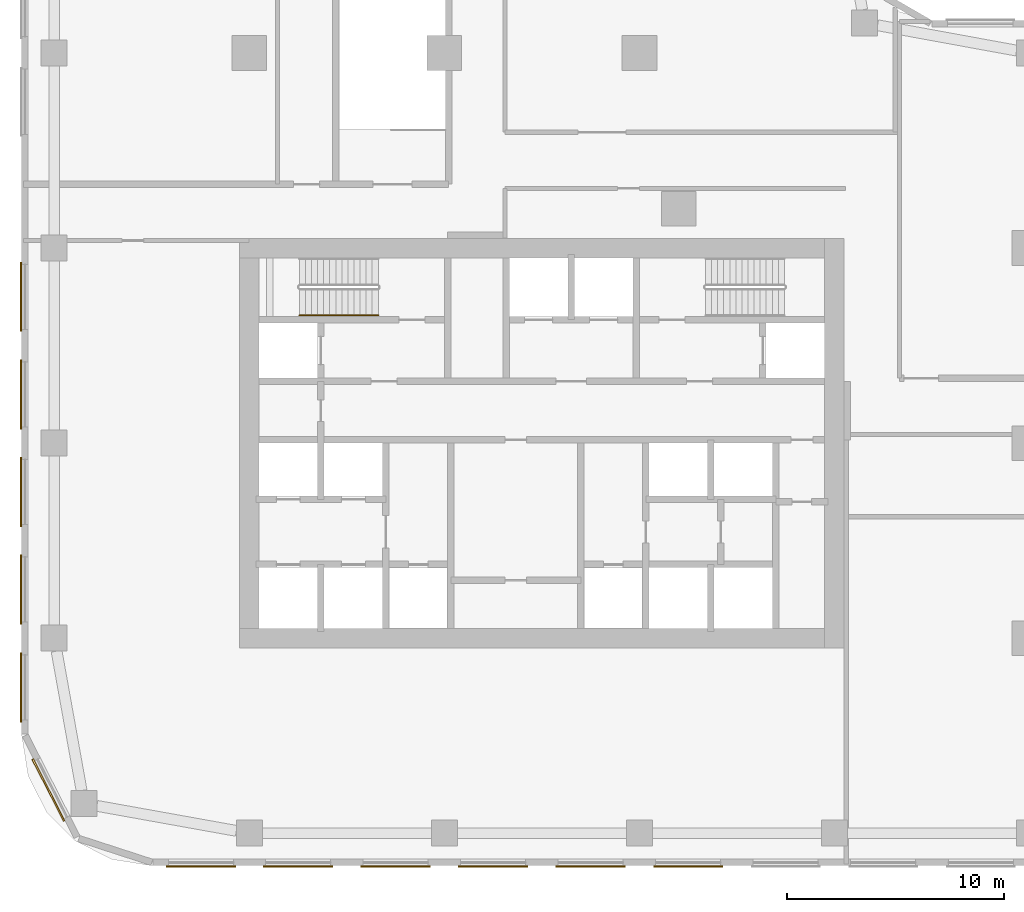
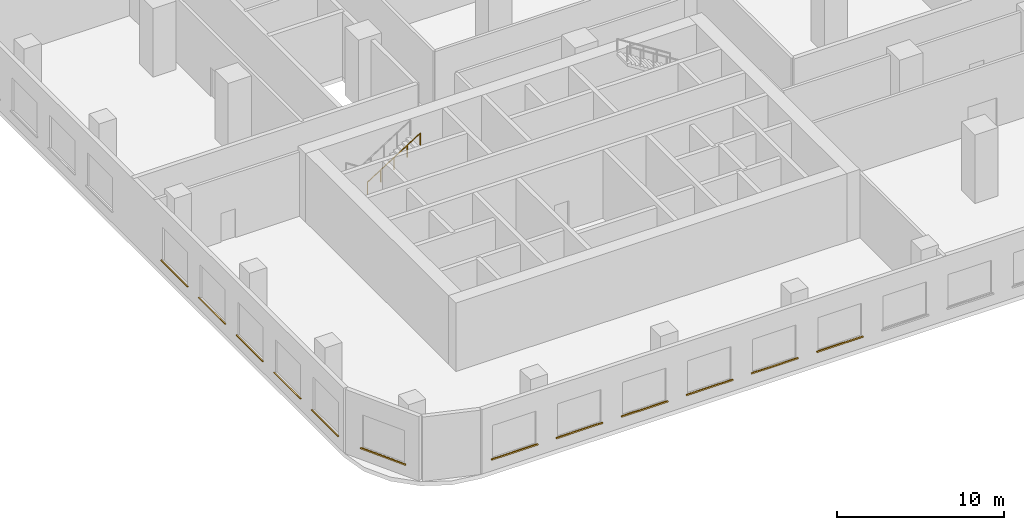
# One storey, part 21 of 33: 12 coverings, 1 railing.
"""IFC4 building model written with IfcOpenShell, lengths in metres."""

from ifc_helpers import new_model, si_unit, direction, frame, origin, origin_2d, place, context, subcontext, project, spatial, rectangle, circle, extrude, material, layer, layer_set, type_object, element, save


model = new_model("IFC4")

# Units and contexts
model_context = context("Model", 3, precision=1e-05, world=origin(), true_north=direction((0.0, 1.0)))
body_context = subcontext(model_context, "Body", "Model", "MODEL_VIEW")
ifc_project = project(units=[si_unit("LENGTHUNIT", "METRE"), si_unit("AREAUNIT", "SQUARE_METRE"), si_unit("VOLUMEUNIT", "CUBIC_METRE"), si_unit("PLANEANGLEUNIT", "RADIAN"), si_unit("MASSUNIT", "GRAM", prefix="KILO")], contexts=[model_context])

# Site, building, storey
site_placement = place(None, origin())
site = spatial("IfcSite", under=ifc_project, at=site_placement, CompositionType="ELEMENT")
building_placement = place(site_placement, origin())
building = spatial("IfcBuilding", under=site, at=building_placement, Name="Ogive Portal Towers", CompositionType="ELEMENT")
storey_placement = place(building_placement, frame((0.0, 0.0, 28.5)))
storey = spatial("IfcBuildingStorey", under=building, at=storey_placement, Name="L05", CompositionType="ELEMENT", Elevation=28.5)

# Railing
ifc_material_1 = material(Name="Stainless steel handrail", Category="steel")
railing_type = type_object("IfcRailingType", Name="INT-HANDRAIL", PredefinedType="HANDRAIL", material=ifc_material_1)
railing_placement = place(storey_placement, frame((33.81005859375, 36.39990234375, 2.678466796875)))
element("IfcRailing", 1, at=railing_placement, inside=storey, type_object=railing_type, Name="L05 ST-A1 stair handrail 2", PredefinedType="HANDRAIL", context=body_context, shape_type="SweptSolid", body=[
    extrude(circle(Radius=0.02392578125, at=origin_2d()), frame((0.0, 0.0, 0.8759765625), z_axis=(0.843111507901, 0.0, 0.53773877045), x_axis=(0.0, 1.0, 0.0)), (0.0, 0.0, 1.0), 4.317138671875),
    extrude(circle(Radius=0.02099609375, at=origin_2d()), origin(), (0.0, 0.0, 1.0), 0.851806640625),
    extrude(circle(Radius=0.02099609375, at=origin_2d()), frame((0.909912109375, 0.0, 0.580322265625)), (0.0, 0.0, 1.0), 0.851806640625),
    extrude(circle(Radius=0.02099609375, at=origin_2d()), frame((1.81982421875, 0.0, 1.16064453125)), (0.0, 0.0, 1.0), 0.851806640625),
    extrude(circle(Radius=0.02099609375, at=origin_2d()), frame((2.72998046875, 0.0, 1.7412109375)), (0.0, 0.0, 1.0), 0.851806640625),
    extrude(circle(Radius=0.02099609375, at=origin_2d()), frame((3.639892578125, 0.0, 2.321533203125)), (0.0, 0.0, 1.0), 0.851806640625),
])

# Coverings
ifc_material_2 = material(Name="Limestone cladding on lightweight block wall", Category="masonry")
ifc_layer = layer(ifc_material_2, 0.080078125)
ifc_layer_set = layer_set([ifc_layer], Name="STONE SILL 80")
covering_type = type_object("IfcCoveringType", Name="STONE SILL 80", PredefinedType="CLADDING", material=ifc_layer_set)
for number, where, z_axis, x_axis, name in (
    (2, (22.233642578125, 14.49072265625, 0.840087890625), (0.0, 0.0, 1.0), (0.45399049974, -0.891006524188, 0.0), "Stone sill"),
    (3, (29.273681640625, 10.9599609375, 0.840087890625), (0.0, 0.0, 1.0), (1.0, 0.0, 0.0), "Stone sill"),
    (4, (33.75, 10.9599609375, 0.840087890625), (0.0, 0.0, 1.0), (1.0, 0.0, 0.0), "Stone sill"),
    (5, (38.25, 10.9599609375, 0.840087890625), (0.0, 0.0, 1.0), (1.0, 0.0, 0.0), "Stone sill"),
    (6, (42.75, 10.9599609375, 0.840087890625), (0.0, 0.0, 1.0), (1.0, 0.0, 0.0), "Stone sill"),
    (7, (47.25, 10.9599609375, 0.840087890625), (0.0, 0.0, 1.0), (1.0, 0.0, 0.0), "Stone sill"),
    (8, (51.75, 10.9599609375, 0.840087890625), (0.0, 0.0, 1.0), (1.0, 0.0, 0.0), "Stone sill"),
    (9, (20.9599609375, 37.25, 0.840087890625), (0.0, 0.0, 1.0), (0.0, -1.0, 0.0), "Stone sill"),
    (10, (20.9599609375, 32.75, 0.840087890625), (0.0, 0.0, 1.0), (0.0, -1.0, 0.0), "Stone sill"),
    (11, (20.9599609375, 28.25, 0.840087890625), (0.0, 0.0, 1.0), (0.0, -1.0, 0.0), "Stone sill"),
    (12, (20.9599609375, 23.75, 0.840087890625), (0.0, 0.0, 1.0), (0.0, -1.0, 0.0), "Stone sill"),
    (13, (20.9599609375, 19.226318359375, 0.840087890625), (0.0, 0.0, 1.0), (0.0, -1.0, 0.0), "Stone sill"),
):
    element("IfcCovering", number, at=place(storey_placement, frame(where, z_axis=z_axis, x_axis=x_axis)), inside=storey, type_object=covering_type, Name=name, PredefinedType="CLADDING", context=body_context, shape_type="SweptSolid", body=[
        extrude(rectangle(XDim=3.199951171875, YDim=0.080078125, at=origin_2d()), origin(), (0.0, 0.0, 1.0), 0.06005859375),
    ])

save(model, "model.ifc")
